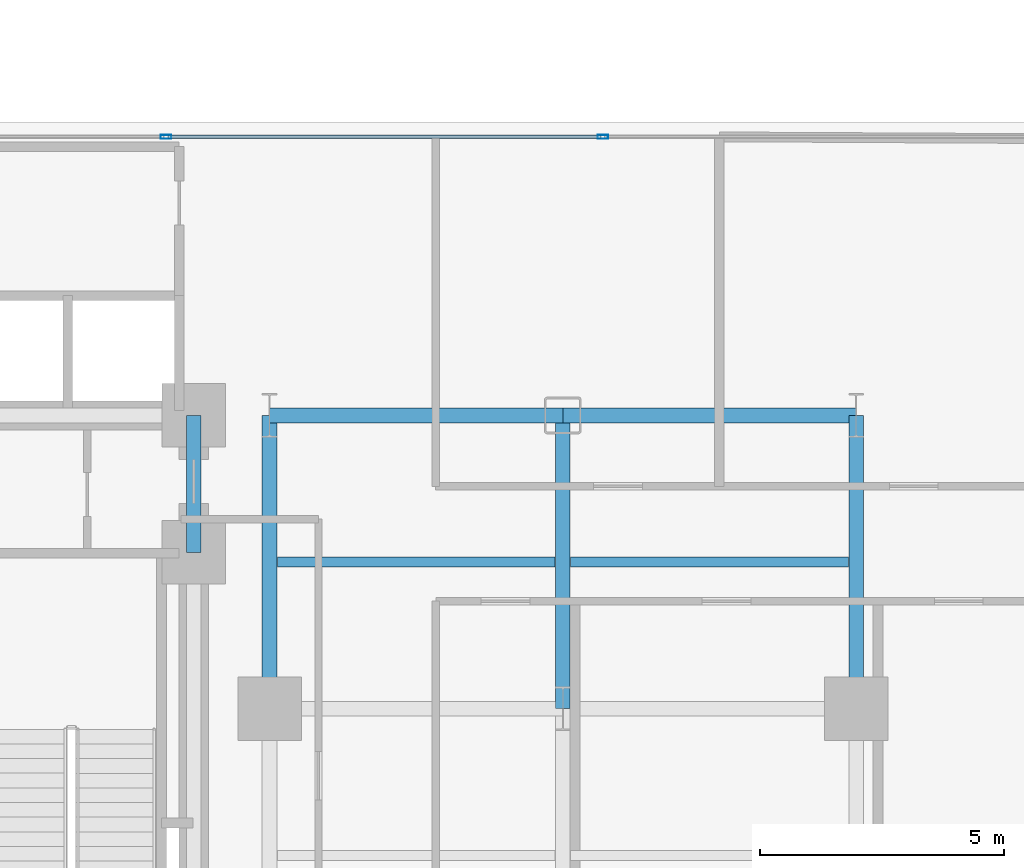
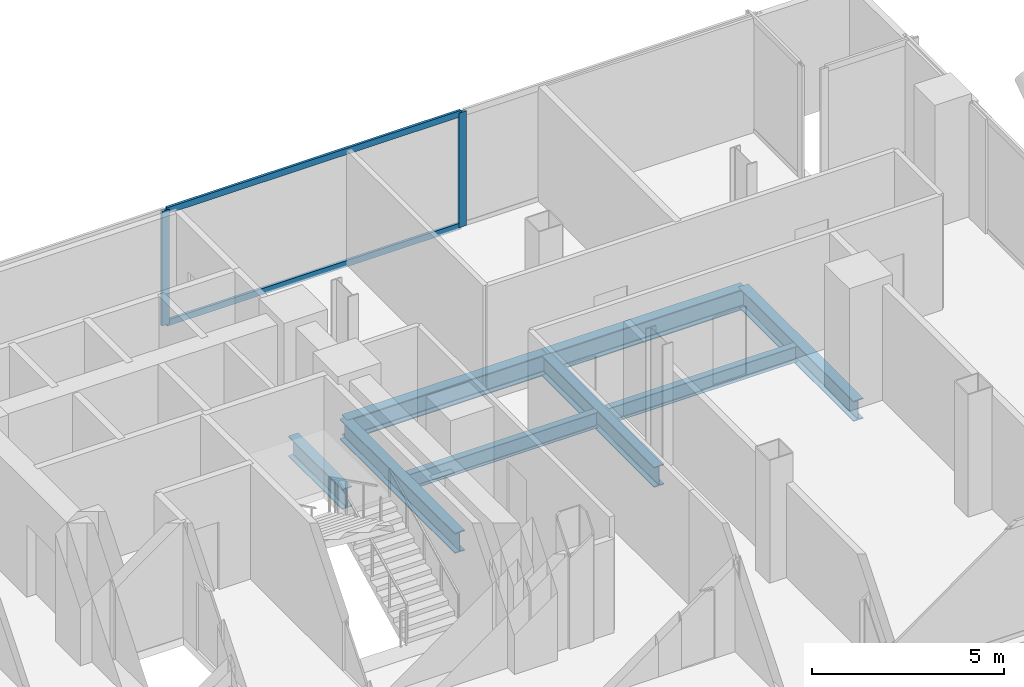
# One storey, part 11 of 25: 8 beams, 4 members, 1 element without a shape of its own.
"""IFC4 building model written with IfcOpenShell, lengths in metres."""

from ifc_helpers import new_model, si_unit, direction, frame, origin, origin_2d, place, context, subcontext, project, spatial, hollow_rectangle, i_section, extrude, material, layer, layer_set, material_profile, profile_set, type_object, element, aggregate, save


model = new_model("IFC4")

# Units and contexts
model_context = context("Model", 3, precision=1e-05, world=origin(), true_north=direction((0.0, 1.0)))
body_context = subcontext(model_context, "Body", "Model", "MODEL_VIEW")
ifc_project = project(units=[si_unit("LENGTHUNIT", "METRE"), si_unit("AREAUNIT", "SQUARE_METRE"), si_unit("VOLUMEUNIT", "CUBIC_METRE"), si_unit("PLANEANGLEUNIT", "RADIAN"), si_unit("MASSUNIT", "GRAM", prefix="KILO"), si_unit("THERMODYNAMICTEMPERATUREUNIT", "KELVIN"), si_unit("POWERUNIT", "WATT")], contexts=[model_context])

# Site, building, storey
site_placement = place(None, origin())
site = spatial("IfcSite", under=ifc_project, at=site_placement, CompositionType="ELEMENT")
building_placement = place(site_placement, origin())
building = spatial("IfcBuilding", under=site, at=building_placement, Name="Svarakhadi Broadcast Tower", CompositionType="ELEMENT")
storey_placement = place(building_placement, frame((0.0, 0.0, 67.5)))
storey = spatial("IfcBuildingStorey", under=building, at=storey_placement, Name="L15", CompositionType="ELEMENT", Elevation=67.5)

# Beams
ifc_material_1 = material(Name="Steel S355J2 (IS 2062 E350C)", Category="steel")
ifc_material_profile_1 = material_profile(ifc_material_1, i_section(OverallWidth=0.199951171875, OverallDepth=0.5, WebThickness=0.01025390625, FlangeThickness=0.01611328125, FilletRadius=0.02099609375, at=origin_2d()), Name="NPB 500x200x91")
ifc_profile_set_1 = profile_set([ifc_material_profile_1], Name="Steel S355J2 (IS 2062 E350C)")
beam_type_1 = type_object("IfcBeamType", Name="Beam_NPB500", PredefinedType="BEAM", material=ifc_profile_set_1)
for number, where, z_axis, x_axis, name in (
    (1, (35.31005859375, 15.0, -0.5), (1.0, 0.0, 0.0), (0.0, 1.0, 0.0), "L15 Secondary Composite Beam SB024"),
    (2, (41.31005859375, 15.0, -0.5), (1.0, 0.0, 0.0), (0.0, 1.0, 0.0), "L15 Secondary Composite Beam SB027"),
):
    element("IfcBeam", number, at=place(storey_placement, frame(where, z_axis=z_axis, x_axis=x_axis)), inside=storey, type_object=beam_type_1, Name=name, PredefinedType="BEAM", context=body_context, shape_type="SweptSolid", body=[
        extrude(i_section(OverallWidth=0.199951171875, OverallDepth=0.5, WebThickness=0.01025390625, FlangeThickness=0.01611328125, FilletRadius=0.02099609375, at=origin_2d()), origin(), (0.0, 0.0, 1.0), 5.679931640625),
    ])

# Curtain wall, members
ifc_material_2 = material(Name="Anodised Bronze Aluminium AA 6063-T6", Category="aluminium")
ifc_layer = layer(ifc_material_2, 0.219970703125)
ifc_layer_set = layer_set([ifc_layer], Name="Anodised Bronze Aluminium AA 6063-T6")
curtain_wall_type = type_object("IfcCurtainWallType", Name="CW_Sys_02", PredefinedType="NOTDEFINED", material=ifc_layer_set)
curtain_wall_placement = place(storey_placement, origin())
curtain_wall = element("IfcCurtainWall", 3, at=curtain_wall_placement, inside=storey, type_object=curtain_wall_type, Name="L15 Unitised Facade Curtain Wall 10", PredefinedType="NOTDEFINED")
ifc_material_profile_2 = material_profile(ifc_material_2, hollow_rectangle(XDim=0.0849609375, YDim=0.219970703125, WallThickness=0.006103515625, at=origin_2d()), Name="ALU MULLION 220x85x6")
ifc_profile_set_2 = profile_set([ifc_material_profile_2], Name="Anodised Bronze Aluminium AA 6063-T6")
member_type_1 = type_object("IfcMemberType", Name="CW_Sys_02_Mul", PredefinedType="MULLION", material=ifc_profile_set_2)
member_1_placement = place(storey_placement, frame((33.030029296875, 23.699951171875, 0.0), z_axis=(0.0, 0.0, 1.0), x_axis=(0.0, 1.0, 0.0)))
member_1 = element("IfcMember", 4, at=member_1_placement, type_object=member_type_1, Name="CW-02 mullion 2", PredefinedType="MULLION", context=body_context, shape_type="SweptSolid", body=[
    extrude(hollow_rectangle(XDim=0.0849609375, YDim=0.219970703125, WallThickness=0.006103515625, at=origin_2d()), origin(), (0.0, 0.0, 1.0), 3.64990234375),
])
member_2_placement = place(storey_placement, frame((41.969970703125, 23.699951171875, 0.0), z_axis=(0.0, 0.0, 1.0), x_axis=(0.0, 1.0, 0.0)))
member_2 = element("IfcMember", 5, at=member_2_placement, type_object=member_type_1, Name="CW-02 mullion 3", PredefinedType="MULLION", context=body_context, shape_type="SweptSolid", body=[
    extrude(hollow_rectangle(XDim=0.0849609375, YDim=0.219970703125, WallThickness=0.006103515625, at=origin_2d()), origin(), (0.0, 0.0, 1.0), 3.64990234375),
])
ifc_material_profile_3 = material_profile(ifc_material_2, hollow_rectangle(XDim=0.074951171875, YDim=0.199951171875, WallThickness=0.0048828125, at=origin_2d()), Name="ALU TRANSOM 200x75x5")
ifc_profile_set_3 = profile_set([ifc_material_profile_3], Name="Anodised Bronze Aluminium AA 6063-T6")
member_type_2 = type_object("IfcMemberType", Name="CW_Sys_02_Trn", PredefinedType="USERDEFINED", material=ifc_profile_set_3)
member_3_placement = place(storey_placement, frame((33.072509765625, 23.699951171875, 0.03759765625), z_axis=(1.0, 0.0, 0.0), x_axis=(0.0, 1.0, 0.0)))
member_3 = element("IfcMember", 6, at=member_3_placement, type_object=member_type_2, Name="CW-02 transom 2.1", ObjectType="TRANSOM", PredefinedType="USERDEFINED", context=body_context, shape_type="SweptSolid", body=[
    extrude(hollow_rectangle(XDim=0.074951171875, YDim=0.199951171875, WallThickness=0.0048828125, at=origin_2d()), origin(), (0.0, 0.0, 1.0), 8.85498046875),
])
member_4_placement = place(storey_placement, frame((33.072509765625, 23.699951171875, 3.612548828125), z_axis=(1.0, 0.0, 0.0), x_axis=(0.0, 1.0, 0.0)))
member_4 = element("IfcMember", 7, at=member_4_placement, type_object=member_type_2, Name="CW-02 transom 2.2", ObjectType="TRANSOM", PredefinedType="USERDEFINED", context=body_context, shape_type="SweptSolid", body=[
    extrude(hollow_rectangle(XDim=0.074951171875, YDim=0.199951171875, WallThickness=0.0048828125, at=origin_2d()), origin(), (0.0, 0.0, 1.0), 8.85498046875),
])
aggregate(curtain_wall, [member_1, member_2, member_3, member_4])

# Beams
ifc_material_profile_4 = material_profile(ifc_material_1, i_section(OverallWidth=0.300048828125, OverallDepth=0.64990234375, WebThickness=0.01611328125, FlangeThickness=0.031005859375, FilletRadius=0.027099609375, at=origin_2d()), Name="WPB 650x300x225")
ifc_profile_set_4 = profile_set([ifc_material_profile_4], Name="Steel S355J2 (IS 2062 E350C)")
beam_type_2 = type_object("IfcBeamType", Name="Girder_WPB650", PredefinedType="USERDEFINED", material=ifc_profile_set_4)
for number, where, z_axis, x_axis, name in (
    (8, (35.14990234375, 18.0, -0.574951171875), (1.0, 0.0, 0.0), (0.0, 1.0, 0.0), "L15 Primary E-W Girder G030"),
    (9, (41.14990234375, 18.0, -0.574951171875), (1.0, 0.0, 0.0), (0.0, 1.0, 0.0), "L15 Primary E-W Girder G031"),
):
    element("IfcBeam", number, at=place(storey_placement, frame(where, z_axis=z_axis, x_axis=x_axis)), inside=storey, type_object=beam_type_2, Name=name, ObjectType="GIRDER", PredefinedType="USERDEFINED", context=body_context, shape_type="SweptSolid", body=[
        extrude(i_section(OverallWidth=0.300048828125, OverallDepth=0.64990234375, WebThickness=0.01611328125, FlangeThickness=0.031005859375, FilletRadius=0.027099609375, at=origin_2d()), origin(), (0.0, 0.0, 1.0), 6.0),
    ])
beam_placement = place(storey_placement, frame((33.60009765625, 15.199951171875, -0.574951171875), z_axis=(0.0, 1.0, 0.0), x_axis=(-1.0, 0.0, 0.0)))
element("IfcBeam", 10, at=beam_placement, inside=storey, type_object=beam_type_2, Name="L15 Primary N-S Girder G075", ObjectType="GIRDER", PredefinedType="USERDEFINED", context=body_context, shape_type="SweptSolid", body=[
    extrude(i_section(OverallWidth=0.300048828125, OverallDepth=0.64990234375, WebThickness=0.01611328125, FlangeThickness=0.031005859375, FilletRadius=0.027099609375, at=origin_2d()), origin(), (0.0, 0.0, 1.0), 2.800048828125),
])
for number, where, z_axis, x_axis, name in (
    (11, (35.14990234375, 12.0, -0.574951171875), (0.0, 1.0, 0.0), (-1.0, 0.0, 0.0), "L15 Primary N-S Girder G078"),
    (12, (41.14990234375, 12.0, -0.574951171875), (0.0, 1.0, 0.0), (-1.0, 0.0, 0.0), "L15 Primary N-S Girder G081"),
    (13, (47.14990234375, 12.0, -0.574951171875), (0.0, 1.0, 0.0), (-1.0, 0.0, 0.0), "L15 Primary N-S Girder G084"),
):
    element("IfcBeam", number, at=place(storey_placement, frame(where, z_axis=z_axis, x_axis=x_axis)), inside=storey, type_object=beam_type_2, Name=name, ObjectType="GIRDER", PredefinedType="USERDEFINED", context=body_context, shape_type="SweptSolid", body=[
        extrude(i_section(OverallWidth=0.300048828125, OverallDepth=0.64990234375, WebThickness=0.01611328125, FlangeThickness=0.031005859375, FilletRadius=0.027099609375, at=origin_2d()), origin(), (0.0, 0.0, 1.0), 6.0),
    ])

save(model, "model.ifc")
